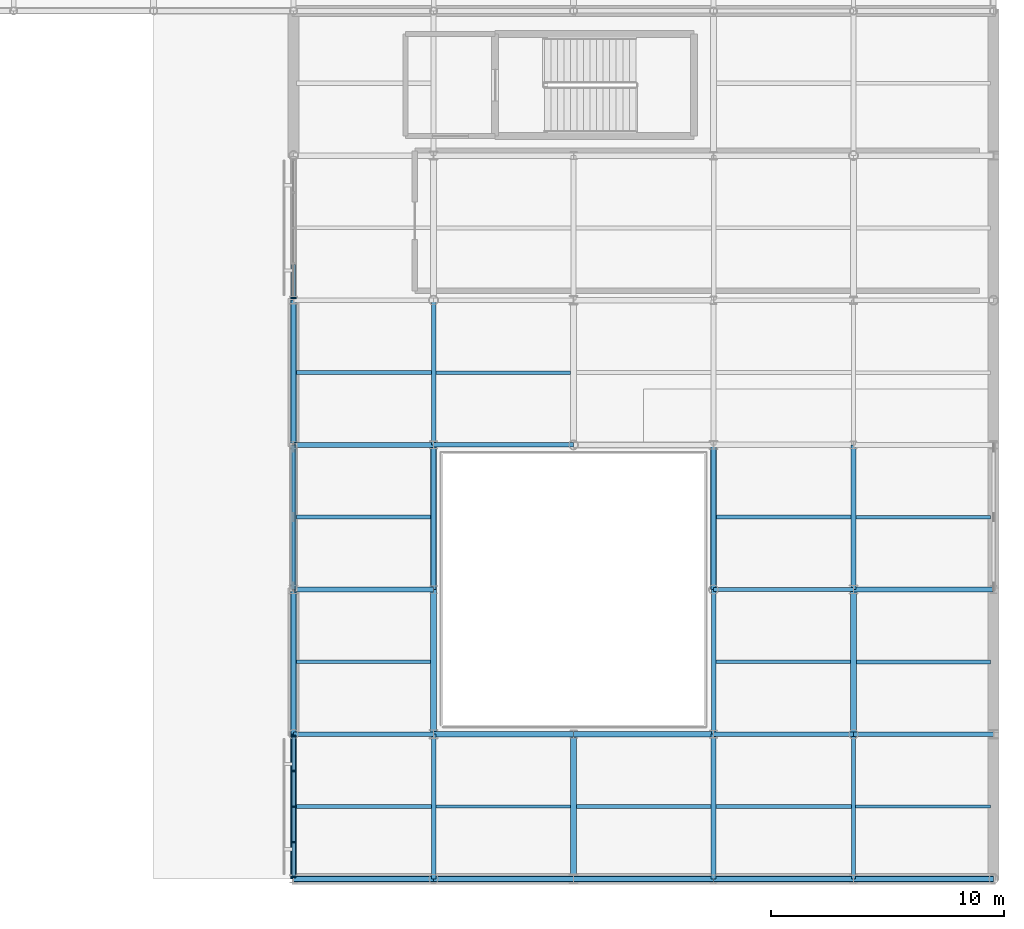
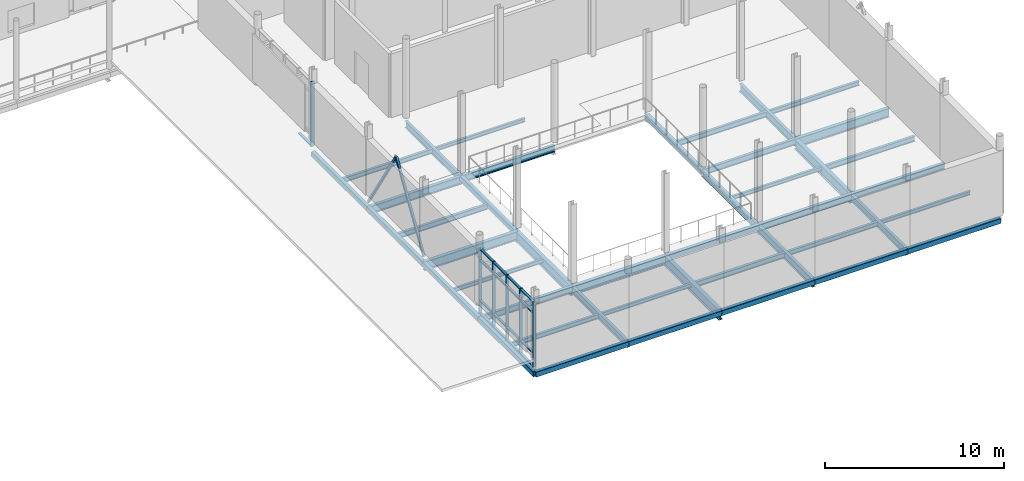
# One storey, part 45 of 105: 43 beams, 25 members, 2 elements without a shape of their own.
"""IFC4 building model written with IfcOpenShell, lengths in metres."""

from ifc_helpers import new_model, si_unit, direction, frame, origin, origin_2d, place, context, subcontext, project, spatial, rectangle, hollow_rectangle, i_section, extrude, material, layer, layer_set, material_profile, profile_set, type_object, element, aggregate, save


model = new_model("IFC4")

# Units and contexts
model_context = context("Model", 3, precision=1e-05, world=origin(), true_north=direction((0.0, 1.0)))
body_context = subcontext(model_context, "Body", "Model", "MODEL_VIEW")
ifc_project = project(units=[si_unit("LENGTHUNIT", "METRE"), si_unit("AREAUNIT", "SQUARE_METRE"), si_unit("VOLUMEUNIT", "CUBIC_METRE"), si_unit("PLANEANGLEUNIT", "RADIAN"), si_unit("MASSUNIT", "GRAM", prefix="KILO")], contexts=[model_context])

# Site, building, storey
site_placement = place(None, origin())
site = spatial("IfcSite", under=ifc_project, at=site_placement, CompositionType="ELEMENT")
building_placement = place(site_placement, origin())
building = spatial("IfcBuilding", under=site, at=building_placement, Name="Mirzam Square Science Centre", CompositionType="ELEMENT")
storey_placement = place(building_placement, frame((0.0, 0.0, 5.39990234375)))
storey = spatial("IfcBuildingStorey", under=building, at=storey_placement, Name="L01", CompositionType="ELEMENT", Elevation=5.39990234375)

# Beams
ifc_material_1 = material(Name="Steel S355", Category="steel")
ifc_material_profile_1 = material_profile(ifc_material_1, i_section(OverallWidth=0.1787109375, OverallDepth=0.409423828125, WebThickness=0.0087890625, FlangeThickness=0.014404296875, FilletRadius=0.01025390625, at=origin_2d()), Name="406x178x67UB")
ifc_profile_set_1 = profile_set([ifc_material_profile_1], Name="Steel S355")
beam_type_1 = type_object("IfcBeamType", Name="BM-UB406", PredefinedType="BEAM", material=ifc_profile_set_1)
for number, where, z_axis, x_axis, name in (
    (1, (132.0, 6.199951171875, -0.464599609375), (1.0, 0.0, 0.0), (0.0, 1.0, 0.0), "L01 girder X23-2"),
    (2, (156.0, 6.199951171875, -0.464599609375), (1.0, 0.0, 0.0), (0.0, 1.0, 0.0), "L01 girder X27-2"),
    (3, (150.0, 12.39990234375, -0.464599609375), (1.0, 0.0, 0.0), (0.0, 1.0, 0.0), "L01 girder X26-3"),
):
    element("IfcBeam", number, at=place(storey_placement, frame(where, z_axis=z_axis, x_axis=x_axis)), inside=storey, type_object=beam_type_1, Name=name, PredefinedType="BEAM", context=body_context, shape_type="SweptSolid", body=[
        extrude(i_section(OverallWidth=0.1787109375, OverallDepth=0.409423828125, WebThickness=0.0087890625, FlangeThickness=0.014404296875, FilletRadius=0.01025390625, at=origin_2d()), origin(), (0.0, 0.0, 1.0), 6.0),
    ])
ifc_material_profile_2 = material_profile(ifc_material_1, i_section(OverallWidth=0.19140625, OverallDepth=0.4599609375, WebThickness=0.010009765625, FlangeThickness=0.01611328125, FilletRadius=0.01025390625, at=origin_2d()), Name="457x191x82UB")
ifc_profile_set_2 = profile_set([ifc_material_profile_2], Name="Steel S355")
beam_type_2 = type_object("IfcBeamType", Name="BM-UB457", PredefinedType="BEAM", material=ifc_profile_set_2)
for number, where, z_axis, x_axis, name in (
    (4, (150.0, 6.199951171875, -0.489990234375), (1.0, 0.0, 0.0), (0.0, 1.0, 0.0), "L01 girder X26-2"),
    (5, (138.0, 18.60009765625, -0.489990234375), (1.0, 0.0, 0.0), (0.0, 1.0, 0.0), "L01 girder X24-4"),
):
    element("IfcBeam", number, at=place(storey_placement, frame(where, z_axis=z_axis, x_axis=x_axis)), inside=storey, type_object=beam_type_2, Name=name, PredefinedType="BEAM", context=body_context, shape_type="SweptSolid", body=[
        extrude(i_section(OverallWidth=0.19140625, OverallDepth=0.4599609375, WebThickness=0.010009765625, FlangeThickness=0.01611328125, FilletRadius=0.01025390625, at=origin_2d()), origin(), (0.0, 0.0, 1.0), 6.0),
    ])
for number, where, z_axis, x_axis, name in (
    (6, (138.0, 0.0, -0.489990234375), (0.0, 1.0, 0.0), (-1.0, 0.0, 0.0), "L01 girder Y24-1"),
    (7, (138.0, 18.60009765625, -0.489990234375), (0.0, 1.0, 0.0), (-1.0, 0.0, 0.0), "L01 girder Y24-4"),
    (8, (150.0, 6.199951171875, -0.489990234375), (0.0, 1.0, 0.0), (-1.0, 0.0, 0.0), "L01 girder Y26-2"),
    (9, (156.0, 0.0, -0.489990234375), (0.0, 1.0, 0.0), (-1.0, 0.0, 0.0), "L01 girder Y27-1"),
):
    element("IfcBeam", number, at=place(storey_placement, frame(where, z_axis=z_axis, x_axis=x_axis)), inside=storey, type_object=beam_type_2, Name=name, PredefinedType="BEAM", context=body_context, shape_type="SweptSolid", body=[
        extrude(i_section(OverallWidth=0.19140625, OverallDepth=0.4599609375, WebThickness=0.010009765625, FlangeThickness=0.01611328125, FilletRadius=0.01025390625, at=origin_2d()), origin(), (0.0, 0.0, 1.0), 6.199951171875),
    ])
ifc_material_profile_3 = material_profile(ifc_material_1, i_section(OverallWidth=0.2099609375, OverallDepth=0.53662109375, WebThickness=0.0107421875, FlangeThickness=0.017333984375, FilletRadius=0.0126953125, at=origin_2d()), Name="533x210x101UB")
ifc_profile_set_3 = profile_set([ifc_material_profile_3], Name="Steel S355")
beam_type_3 = type_object("IfcBeamType", Name="BM-UB533", PredefinedType="BEAM", material=ifc_profile_set_3)
beam_1_placement = place(storey_placement, frame((132.0, 18.60009765625, -0.5283203125), z_axis=(1.0, 0.0, 0.0), x_axis=(0.0, 1.0, 0.0)))
element("IfcBeam", 10, at=beam_1_placement, inside=storey, type_object=beam_type_3, Name="L01 girder X23-4", PredefinedType="BEAM", context=body_context, shape_type="SweptSolid", body=[
    extrude(i_section(OverallWidth=0.2099609375, OverallDepth=0.53662109375, WebThickness=0.0107421875, FlangeThickness=0.017333984375, FilletRadius=0.0126953125, at=origin_2d()), origin(), (0.0, 0.0, 1.0), 6.0),
])
beam_2_placement = place(storey_placement, frame((150.0, 0.0, -0.5283203125), z_axis=(0.0, 1.0, 0.0), x_axis=(-1.0, 0.0, 0.0)))
element("IfcBeam", 11, at=beam_2_placement, inside=storey, type_object=beam_type_3, Name="L01 girder Y26-1", PredefinedType="BEAM", context=body_context, shape_type="SweptSolid", body=[
    extrude(i_section(OverallWidth=0.2099609375, OverallDepth=0.53662109375, WebThickness=0.0107421875, FlangeThickness=0.017333984375, FilletRadius=0.0126953125, at=origin_2d()), origin(), (0.0, 0.0, 1.0), 6.199951171875),
])
beam_3_placement = place(storey_placement, frame((156.0, 12.39990234375, -0.5283203125), z_axis=(0.0, 1.0, 0.0), x_axis=(-1.0, 0.0, 0.0)))
element("IfcBeam", 12, at=beam_3_placement, inside=storey, type_object=beam_type_3, Name="L01 girder Y27-3", PredefinedType="BEAM", context=body_context, shape_type="SweptSolid", body=[
    extrude(i_section(OverallWidth=0.2099609375, OverallDepth=0.53662109375, WebThickness=0.0107421875, FlangeThickness=0.017333984375, FilletRadius=0.0126953125, at=origin_2d()), origin(), (0.0, 0.0, 1.0), 6.2001953125),
])
ifc_material_profile_4 = material_profile(ifc_material_1, i_section(OverallWidth=0.22900390625, OverallDepth=0.6123046875, WebThickness=0.011962890625, FlangeThickness=0.01953125, FilletRadius=0.0126953125, at=origin_2d()), Name="610x229x125UB")
ifc_profile_set_4 = profile_set([ifc_material_profile_4], Name="Steel S355")
beam_type_4 = type_object("IfcBeamType", Name="BM-UB610", PredefinedType="BEAM", material=ifc_profile_set_4)
for number, where, z_axis, x_axis, name in (
    (13, (138.0, 6.199951171875, -0.56591796875), (1.0, 0.0, 0.0), (0.0, 1.0, 0.0), "L01 girder X24-2"),
    (14, (132.0, 12.39990234375, -0.56591796875), (1.0, 0.0, 0.0), (0.0, 1.0, 0.0), "L01 girder X23-3"),
    (15, (156.0, 12.39990234375, -0.56591796875), (1.0, 0.0, 0.0), (0.0, 1.0, 0.0), "L01 girder X27-3"),
):
    element("IfcBeam", number, at=place(storey_placement, frame(where, z_axis=z_axis, x_axis=x_axis)), inside=storey, type_object=beam_type_4, Name=name, PredefinedType="BEAM", context=body_context, shape_type="SweptSolid", body=[
        extrude(i_section(OverallWidth=0.22900390625, OverallDepth=0.6123046875, WebThickness=0.011962890625, FlangeThickness=0.01953125, FilletRadius=0.0126953125, at=origin_2d()), origin(), (0.0, 0.0, 1.0), 6.0),
    ])
ifc_material_profile_5 = material_profile(ifc_material_1, i_section(OverallWidth=0.25439453125, OverallDepth=0.6875, WebThickness=0.01318359375, FlangeThickness=0.02099609375, FilletRadius=0.01513671875, at=origin_2d()), Name="686x254x152UB")
ifc_profile_set_5 = profile_set([ifc_material_profile_5], Name="Steel S355")
beam_type_5 = type_object("IfcBeamType", Name="BM-UB686", PredefinedType="BEAM", material=ifc_profile_set_5)
for number, where, z_axis, x_axis, name in (
    (16, (138.0, 6.199951171875, -0.603759765625), (0.0, 1.0, 0.0), (-1.0, 0.0, 0.0), "L01 girder Y24-2"),
    (17, (144.0, 0.0, -0.603759765625), (0.0, 1.0, 0.0), (-1.0, 0.0, 0.0), "L01 girder Y25-1"),
    (18, (156.0, 6.199951171875, -0.603759765625), (0.0, 1.0, 0.0), (-1.0, 0.0, 0.0), "L01 girder Y27-2"),
):
    element("IfcBeam", number, at=place(storey_placement, frame(where, z_axis=z_axis, x_axis=x_axis)), inside=storey, type_object=beam_type_5, Name=name, PredefinedType="BEAM", context=body_context, shape_type="SweptSolid", body=[
        extrude(i_section(OverallWidth=0.25439453125, OverallDepth=0.6875, WebThickness=0.01318359375, FlangeThickness=0.02099609375, FilletRadius=0.01513671875, at=origin_2d()), origin(), (0.0, 0.0, 1.0), 6.199951171875),
    ])

# Members
ifc_material_profile_6 = material_profile(ifc_material_1, hollow_rectangle(XDim=0.14990234375, YDim=0.14990234375, WallThickness=0.008056640625, InnerFilletRadius=0.008056640625, OuterFilletRadius=0.01611328125, at=origin_2d()), Name="150x150x8.0SHS")
ifc_profile_set_6 = profile_set([ifc_material_profile_6], Name="Steel S355")
member_type_1 = type_object("IfcMemberType", Name="BR-SHS150", PredefinedType="BRACE", material=ifc_profile_set_6)
for number, where, z_axis, x_axis, name in (
    (19, (132.0, 12.39990234375, 0.050048828125), (0.0, 0.532707561114, 0.84629938812), (-1.0, 0.0, 0.0), "L01 chevron brace 6A"),
    (20, (132.0, 18.60009765625, 0.050048828125), (0.0, -0.532707561114, 0.84629938812), (1.0, 0.0, 0.0), "L01 chevron brace 6B"),
):
    element("IfcMember", number, at=place(storey_placement, frame(where, z_axis=z_axis, x_axis=x_axis)), inside=storey, type_object=member_type_1, Name=name, PredefinedType="BRACE", context=body_context, shape_type="SweptSolid", body=[
        extrude(hollow_rectangle(XDim=0.14990234375, YDim=0.14990234375, WallThickness=0.008056640625, InnerFilletRadius=0.008056640625, OuterFilletRadius=0.01611328125, at=origin_2d()), origin(), (0.0, 0.0, 1.0), 5.819580078125),
    ])

# Curtain wall, members
ifc_material_2 = material(Name="Anodised Aluminium and Low-E Solar Glass", Category="aluminium")
ifc_layer_1 = layer(ifc_material_2, 0.199951171875)
ifc_layer_set_1 = layer_set([ifc_layer_1], Name="CW-EAST-A")
curtain_wall_type_1 = type_object("IfcCurtainWallType", Name="CW-EAST-A", PredefinedType="USERDEFINED", material=ifc_layer_set_1)
curtain_wall_1_placement = place(storey_placement, origin())
curtain_wall_1 = element("IfcCurtainWall", 21, at=curtain_wall_1_placement, inside=storey, type_object=curtain_wall_type_1, Name="L01 unitised curtain wall 60", ObjectType="UNITISED CURTAIN WALL", PredefinedType="USERDEFINED")
ifc_material_3 = material(Name="Anodised Architectural Aluminium 6063-T6", Category="aluminium")
ifc_material_profile_7 = material_profile(ifc_material_3, rectangle(XDim=0.06494140625, YDim=0.199951171875, at=origin_2d()), Name="ALU-MULL-200x65x5")
ifc_profile_set_7 = profile_set([ifc_material_profile_7], Name="Anodised Architectural Aluminium 6063-T6")
member_type_2 = type_object("IfcMemberType", Name="CWM-200", PredefinedType="MULLION", material=ifc_profile_set_7)
member_1_placement = place(storey_placement, frame((132.0, 6.112548828125, 0.0), z_axis=(0.0, 0.0, 1.0), x_axis=(0.0, -1.0, 0.0)))
member_1 = element("IfcMember", 22, at=member_1_placement, type_object=member_type_2, Name="CW-05 mullion 1", PredefinedType="MULLION", context=body_context, shape_type="SweptSolid", body=[
    extrude(rectangle(XDim=0.06494140625, YDim=0.199951171875, at=origin_2d()), origin(), (0.0, 0.0, 1.0), 4.440185546875),
])
member_2_placement = place(storey_placement, frame((132.0, 4.62255859375, 0.0), z_axis=(0.0, 0.0, 1.0), x_axis=(0.0, -1.0, 0.0)))
member_2 = element("IfcMember", 23, at=member_2_placement, type_object=member_type_2, Name="CW-05 mullion 2", PredefinedType="MULLION", context=body_context, shape_type="SweptSolid", body=[
    extrude(rectangle(XDim=0.06494140625, YDim=0.199951171875, at=origin_2d()), origin(), (0.0, 0.0, 1.0), 4.440185546875),
])
member_3_placement = place(storey_placement, frame((132.0, 3.10009765625, 0.0), z_axis=(0.0, 0.0, 1.0), x_axis=(0.0, -1.0, 0.0)))
member_3 = element("IfcMember", 24, at=member_3_placement, type_object=member_type_2, Name="CW-05 mullion 3", PredefinedType="MULLION", context=body_context, shape_type="SweptSolid", body=[
    extrude(rectangle(XDim=0.06494140625, YDim=0.199951171875, at=origin_2d()), origin(), (0.0, 0.0, 1.0), 4.440185546875),
])
member_4_placement = place(storey_placement, frame((132.0, 1.577392578125, 0.0), z_axis=(0.0, 0.0, 1.0), x_axis=(0.0, -1.0, 0.0)))
member_4 = element("IfcMember", 25, at=member_4_placement, type_object=member_type_2, Name="CW-05 mullion 4", PredefinedType="MULLION", context=body_context, shape_type="SweptSolid", body=[
    extrude(rectangle(XDim=0.06494140625, YDim=0.199951171875, at=origin_2d()), origin(), (0.0, 0.0, 1.0), 4.440185546875),
])
member_5_placement = place(storey_placement, frame((132.0, 0.08740234375, 0.0), z_axis=(0.0, 0.0, 1.0), x_axis=(0.0, -1.0, 0.0)))
member_5 = element("IfcMember", 26, at=member_5_placement, type_object=member_type_2, Name="CW-05 mullion 5", PredefinedType="MULLION", context=body_context, shape_type="SweptSolid", body=[
    extrude(rectangle(XDim=0.06494140625, YDim=0.199951171875, at=origin_2d()), origin(), (0.0, 0.0, 1.0), 4.440185546875),
])

# Curtain wall, member
ifc_layer_2 = layer(ifc_material_2, 0.179931640625)
ifc_layer_set_2 = layer_set([ifc_layer_2], Name="CW-PARK-A")
curtain_wall_type_2 = type_object("IfcCurtainWallType", Name="CW-PARK-A", PredefinedType="USERDEFINED", material=ifc_layer_set_2)
curtain_wall_2_placement = place(storey_placement, origin())
curtain_wall_2 = element("IfcCurtainWall", 27, at=curtain_wall_2_placement, inside=storey, type_object=curtain_wall_type_2, Name="L01 unitised curtain wall 61", ObjectType="UNITISED CURTAIN WALL", PredefinedType="USERDEFINED")
ifc_material_profile_8 = material_profile(ifc_material_3, rectangle(XDim=0.074951171875, YDim=0.239990234375, at=origin_2d()), Name="ALU-MULL-240x75x5")
ifc_profile_set_8 = profile_set([ifc_material_profile_8], Name="Anodised Architectural Aluminium 6063-T6")
member_type_3 = type_object("IfcMemberType", Name="CWM-240", PredefinedType="MULLION", material=ifc_profile_set_8)
member_6_placement = place(storey_placement, frame((132.0, 24.892578125, 0.0), z_axis=(0.0, 0.0, 1.0), x_axis=(0.0, -1.0, 0.0)))
member_6 = element("IfcMember", 28, at=member_6_placement, type_object=member_type_3, Name="CW-01 mullion 5", PredefinedType="MULLION", context=body_context, shape_type="SweptSolid", body=[
    extrude(rectangle(XDim=0.074951171875, YDim=0.239990234375, at=origin_2d()), origin(), (0.0, 0.0, 1.0), 4.440185546875),
])

# Member
ifc_material_profile_9 = material_profile(ifc_material_3, rectangle(XDim=0.14990234375, YDim=0.06494140625, at=origin_2d()), Name="ALU-TRAN-150x65x4")
ifc_profile_set_9 = profile_set([ifc_material_profile_9], Name="Anodised Architectural Aluminium 6063-T6")
member_type_4 = type_object("IfcMemberType", Name="CWT-150", PredefinedType="USERDEFINED", material=ifc_profile_set_9)
member_7_placement = place(storey_placement, frame((132.0, 6.080078125, 0.03271484375), z_axis=(0.0, -1.0, 0.0), x_axis=(1.0, 0.0, 0.0)))
member_7 = element("IfcMember", 29, at=member_7_placement, type_object=member_type_4, Name="CW-05 transom 1.1", ObjectType="TRANSOM", PredefinedType="USERDEFINED", context=body_context, shape_type="SweptSolid", body=[
    extrude(rectangle(XDim=0.14990234375, YDim=0.06494140625, at=origin_2d()), origin(), (0.0, 0.0, 1.0), 1.425048828125),
])

member_8_placement = place(storey_placement, frame((132.0, 6.080078125, 0.900146484375), z_axis=(0.0, -1.0, 0.0), x_axis=(1.0, 0.0, 0.0)))
member_8 = element("IfcMember", 30, at=member_8_placement, type_object=member_type_4, Name="CW-05 transom 1.2", ObjectType="TRANSOM", PredefinedType="USERDEFINED", context=body_context, shape_type="SweptSolid", body=[
    extrude(rectangle(XDim=0.14990234375, YDim=0.06494140625, at=origin_2d()), origin(), (0.0, 0.0, 1.0), 1.425048828125),
])

member_9_placement = place(storey_placement, frame((132.0, 6.080078125, 3.64013671875), z_axis=(0.0, -1.0, 0.0), x_axis=(1.0, 0.0, 0.0)))
member_9 = element("IfcMember", 31, at=member_9_placement, type_object=member_type_4, Name="CW-05 transom 1.3", ObjectType="TRANSOM", PredefinedType="USERDEFINED", context=body_context, shape_type="SweptSolid", body=[
    extrude(rectangle(XDim=0.14990234375, YDim=0.06494140625, at=origin_2d()), origin(), (0.0, 0.0, 1.0), 1.425048828125),
])

member_10_placement = place(storey_placement, frame((132.0, 6.080078125, 4.40771484375), z_axis=(0.0, -1.0, 0.0), x_axis=(1.0, 0.0, 0.0)))
member_10 = element("IfcMember", 32, at=member_10_placement, type_object=member_type_4, Name="CW-05 transom 1.4", ObjectType="TRANSOM", PredefinedType="USERDEFINED", context=body_context, shape_type="SweptSolid", body=[
    extrude(rectangle(XDim=0.14990234375, YDim=0.06494140625, at=origin_2d()), origin(), (0.0, 0.0, 1.0), 1.425048828125),
])

member_11_placement = place(storey_placement, frame((132.0, 4.590087890625, 0.03271484375), z_axis=(0.0, -1.0, 0.0), x_axis=(1.0, 0.0, 0.0)))
member_11 = element("IfcMember", 33, at=member_11_placement, type_object=member_type_4, Name="CW-05 transom 2.1", ObjectType="TRANSOM", PredefinedType="USERDEFINED", context=body_context, shape_type="SweptSolid", body=[
    extrude(rectangle(XDim=0.14990234375, YDim=0.06494140625, at=origin_2d()), origin(), (0.0, 0.0, 1.0), 1.45751953125),
])

member_12_placement = place(storey_placement, frame((132.0, 4.590087890625, 0.900146484375), z_axis=(0.0, -1.0, 0.0), x_axis=(1.0, 0.0, 0.0)))
member_12 = element("IfcMember", 34, at=member_12_placement, type_object=member_type_4, Name="CW-05 transom 2.2", ObjectType="TRANSOM", PredefinedType="USERDEFINED", context=body_context, shape_type="SweptSolid", body=[
    extrude(rectangle(XDim=0.14990234375, YDim=0.06494140625, at=origin_2d()), origin(), (0.0, 0.0, 1.0), 1.45751953125),
])

member_13_placement = place(storey_placement, frame((132.0, 4.590087890625, 3.64013671875), z_axis=(0.0, -1.0, 0.0), x_axis=(1.0, 0.0, 0.0)))
member_13 = element("IfcMember", 35, at=member_13_placement, type_object=member_type_4, Name="CW-05 transom 2.3", ObjectType="TRANSOM", PredefinedType="USERDEFINED", context=body_context, shape_type="SweptSolid", body=[
    extrude(rectangle(XDim=0.14990234375, YDim=0.06494140625, at=origin_2d()), origin(), (0.0, 0.0, 1.0), 1.45751953125),
])

member_14_placement = place(storey_placement, frame((132.0, 4.590087890625, 4.40771484375), z_axis=(0.0, -1.0, 0.0), x_axis=(1.0, 0.0, 0.0)))
member_14 = element("IfcMember", 36, at=member_14_placement, type_object=member_type_4, Name="CW-05 transom 2.4", ObjectType="TRANSOM", PredefinedType="USERDEFINED", context=body_context, shape_type="SweptSolid", body=[
    extrude(rectangle(XDim=0.14990234375, YDim=0.06494140625, at=origin_2d()), origin(), (0.0, 0.0, 1.0), 1.45751953125),
])

member_15_placement = place(storey_placement, frame((132.0, 3.0673828125, 0.03271484375), z_axis=(0.0, -1.0, 0.0), x_axis=(1.0, 0.0, 0.0)))
member_15 = element("IfcMember", 37, at=member_15_placement, type_object=member_type_4, Name="CW-05 transom 3.1", ObjectType="TRANSOM", PredefinedType="USERDEFINED", context=body_context, shape_type="SweptSolid", body=[
    extrude(rectangle(XDim=0.14990234375, YDim=0.06494140625, at=origin_2d()), origin(), (0.0, 0.0, 1.0), 1.457275390625),
])

member_16_placement = place(storey_placement, frame((132.0, 3.0673828125, 0.900146484375), z_axis=(0.0, -1.0, 0.0), x_axis=(1.0, 0.0, 0.0)))
member_16 = element("IfcMember", 38, at=member_16_placement, type_object=member_type_4, Name="CW-05 transom 3.2", ObjectType="TRANSOM", PredefinedType="USERDEFINED", context=body_context, shape_type="SweptSolid", body=[
    extrude(rectangle(XDim=0.14990234375, YDim=0.06494140625, at=origin_2d()), origin(), (0.0, 0.0, 1.0), 1.457275390625),
])

member_17_placement = place(storey_placement, frame((132.0, 3.0673828125, 3.64013671875), z_axis=(0.0, -1.0, 0.0), x_axis=(1.0, 0.0, 0.0)))
member_17 = element("IfcMember", 39, at=member_17_placement, type_object=member_type_4, Name="CW-05 transom 3.3", ObjectType="TRANSOM", PredefinedType="USERDEFINED", context=body_context, shape_type="SweptSolid", body=[
    extrude(rectangle(XDim=0.14990234375, YDim=0.06494140625, at=origin_2d()), origin(), (0.0, 0.0, 1.0), 1.457275390625),
])

member_18_placement = place(storey_placement, frame((132.0, 3.0673828125, 4.40771484375), z_axis=(0.0, -1.0, 0.0), x_axis=(1.0, 0.0, 0.0)))
member_18 = element("IfcMember", 40, at=member_18_placement, type_object=member_type_4, Name="CW-05 transom 3.4", ObjectType="TRANSOM", PredefinedType="USERDEFINED", context=body_context, shape_type="SweptSolid", body=[
    extrude(rectangle(XDim=0.14990234375, YDim=0.06494140625, at=origin_2d()), origin(), (0.0, 0.0, 1.0), 1.457275390625),
])

member_19_placement = place(storey_placement, frame((132.0, 1.544921875, 0.03271484375), z_axis=(0.0, -1.0, 0.0), x_axis=(1.0, 0.0, 0.0)))
member_19 = element("IfcMember", 41, at=member_19_placement, type_object=member_type_4, Name="CW-05 transom 4.1", ObjectType="TRANSOM", PredefinedType="USERDEFINED", context=body_context, shape_type="SweptSolid", body=[
    extrude(rectangle(XDim=0.14990234375, YDim=0.06494140625, at=origin_2d()), origin(), (0.0, 0.0, 1.0), 1.4248046875),
])

member_20_placement = place(storey_placement, frame((132.0, 1.544921875, 0.900146484375), z_axis=(0.0, -1.0, 0.0), x_axis=(1.0, 0.0, 0.0)))
member_20 = element("IfcMember", 42, at=member_20_placement, type_object=member_type_4, Name="CW-05 transom 4.2", ObjectType="TRANSOM", PredefinedType="USERDEFINED", context=body_context, shape_type="SweptSolid", body=[
    extrude(rectangle(XDim=0.14990234375, YDim=0.06494140625, at=origin_2d()), origin(), (0.0, 0.0, 1.0), 1.4248046875),
])

member_21_placement = place(storey_placement, frame((132.0, 1.544921875, 3.64013671875), z_axis=(0.0, -1.0, 0.0), x_axis=(1.0, 0.0, 0.0)))
member_21 = element("IfcMember", 43, at=member_21_placement, type_object=member_type_4, Name="CW-05 transom 4.3", ObjectType="TRANSOM", PredefinedType="USERDEFINED", context=body_context, shape_type="SweptSolid", body=[
    extrude(rectangle(XDim=0.14990234375, YDim=0.06494140625, at=origin_2d()), origin(), (0.0, 0.0, 1.0), 1.4248046875),
])

member_22_placement = place(storey_placement, frame((132.0, 1.544921875, 4.40771484375), z_axis=(0.0, -1.0, 0.0), x_axis=(1.0, 0.0, 0.0)))
member_22 = element("IfcMember", 44, at=member_22_placement, type_object=member_type_4, Name="CW-05 transom 4.4", ObjectType="TRANSOM", PredefinedType="USERDEFINED", context=body_context, shape_type="SweptSolid", body=[
    extrude(rectangle(XDim=0.14990234375, YDim=0.06494140625, at=origin_2d()), origin(), (0.0, 0.0, 1.0), 1.4248046875),
])

aggregate(curtain_wall_1, [member_1, member_2, member_3, member_4, member_5, member_7, member_8, member_9, member_10, member_11, member_12, member_13, member_14, member_15, member_16, member_17, member_18, member_19, member_20, member_21, member_22])

ifc_material_profile_10 = material_profile(ifc_material_3, rectangle(XDim=0.179931640625, YDim=0.074951171875, at=origin_2d()), Name="ALU-TRAN-180x75x5")
ifc_profile_set_10 = profile_set([ifc_material_profile_10], Name="Anodised Architectural Aluminium 6063-T6")
member_type_5 = type_object("IfcMemberType", Name="CWT-180", PredefinedType="USERDEFINED", material=ifc_profile_set_10)
member_23_placement = place(storey_placement, frame((132.0, 26.340087890625, 0.03759765625), z_axis=(0.0, -1.0, 0.0), x_axis=(1.0, 0.0, 0.0)))
member_23 = element("IfcMember", 45, at=member_23_placement, type_object=member_type_5, Name="CW-01 transom 4.1", ObjectType="TRANSOM", PredefinedType="USERDEFINED", context=body_context, shape_type="SweptSolid", body=[
    extrude(rectangle(XDim=0.179931640625, YDim=0.074951171875, at=origin_2d()), origin(), (0.0, 0.0, 1.0), 1.41015625),
])

aggregate(curtain_wall_2, [member_6, member_23])

# Beams
ifc_material_profile_11 = material_profile(ifc_material_1, i_section(OverallWidth=0.146484375, OverallDepth=0.256103515625, WebThickness=0.00634765625, FlangeThickness=0.010986328125, FilletRadius=0.007568359375, at=origin_2d()), Name="254x146x37UB")
ifc_profile_set_11 = profile_set([ifc_material_profile_11], Name="Steel S355")
beam_type_6 = type_object("IfcBeamType", Name="JS-UB254", PredefinedType="JOIST", material=ifc_profile_set_11)
beam_4_placement = place(storey_placement, frame((132.125, 9.300048828125, -0.387939453125), z_axis=(1.0, 0.0, 0.0), x_axis=(0.0, 1.0, 0.0)))
element("IfcBeam", 46, at=beam_4_placement, inside=storey, type_object=beam_type_6, Name="L01 composite joist 23-2", PredefinedType="JOIST", context=body_context, shape_type="SweptSolid", body=[
    extrude(i_section(OverallWidth=0.146484375, OverallDepth=0.256103515625, WebThickness=0.00634765625, FlangeThickness=0.010986328125, FilletRadius=0.007568359375, at=origin_2d()), origin(), (0.0, 0.0, 1.0), 5.747802734375),
])
for number, where, z_axis, x_axis, name in (
    (47, (138.095703125, 3.10009765625, -0.387939453125), (1.0, 0.0, 0.0), (0.0, 1.0, 0.0), "L01 composite joist 24-1"),
    (48, (138.095703125, 21.699951171875, -0.387939453125), (1.0, 0.0, 0.0), (0.0, 1.0, 0.0), "L01 composite joist 24-4"),
    (49, (150.095703125, 9.300048828125, -0.387939453125), (1.0, 0.0, 0.0), (0.0, 1.0, 0.0), "L01 composite joist 26-2"),
):
    element("IfcBeam", number, at=place(storey_placement, frame(where, z_axis=z_axis, x_axis=x_axis)), inside=storey, type_object=beam_type_6, Name=name, PredefinedType="JOIST", context=body_context, shape_type="SweptSolid", body=[
        extrude(i_section(OverallWidth=0.146484375, OverallDepth=0.256103515625, WebThickness=0.00634765625, FlangeThickness=0.010986328125, FilletRadius=0.007568359375, at=origin_2d()), origin(), (0.0, 0.0, 1.0), 5.777099609375),
    ])
beam_5_placement = place(storey_placement, frame((156.095703125, 3.10009765625, -0.387939453125), z_axis=(1.0, 0.0, 0.0), x_axis=(0.0, 1.0, 0.0)))
element("IfcBeam", 50, at=beam_5_placement, inside=storey, type_object=beam_type_6, Name="L01 composite joist 27-1", PredefinedType="JOIST", context=body_context, shape_type="SweptSolid", body=[
    extrude(i_section(OverallWidth=0.146484375, OverallDepth=0.256103515625, WebThickness=0.00634765625, FlangeThickness=0.010986328125, FilletRadius=0.007568359375, at=origin_2d()), origin(), (0.0, 0.0, 1.0), 5.779296875),
])
ifc_material_profile_12 = material_profile(ifc_material_1, i_section(OverallWidth=0.165771484375, OverallDepth=0.306640625, WebThickness=0.006591796875, FlangeThickness=0.01171875, FilletRadius=0.0087890625, at=origin_2d()), Name="305x165x46UB")
ifc_profile_set_12 = profile_set([ifc_material_profile_12], Name="Steel S355")
beam_type_7 = type_object("IfcBeamType", Name="JS-UB305", PredefinedType="JOIST", material=ifc_profile_set_12)
for number, where, z_axis, x_axis, name in (
    (51, (132.125, 3.10009765625, -0.4130859375), (1.0, 0.0, 0.0), (0.0, 1.0, 0.0), "L01 composite joist 23-1"),
    (52, (132.125, 21.699951171875, -0.4130859375), (1.0, 0.0, 0.0), (0.0, 1.0, 0.0), "L01 composite joist 23-4"),
):
    element("IfcBeam", number, at=place(storey_placement, frame(where, z_axis=z_axis, x_axis=x_axis)), inside=storey, type_object=beam_type_7, Name=name, PredefinedType="JOIST", context=body_context, shape_type="SweptSolid", body=[
        extrude(i_section(OverallWidth=0.165771484375, OverallDepth=0.306640625, WebThickness=0.006591796875, FlangeThickness=0.01171875, FilletRadius=0.0087890625, at=origin_2d()), origin(), (0.0, 0.0, 1.0), 5.779296875),
    ])
beam_6_placement = place(storey_placement, frame((150.10498046875, 3.10009765625, -0.4130859375), z_axis=(1.0, 0.0, 0.0), x_axis=(0.0, 1.0, 0.0)))
element("IfcBeam", 53, at=beam_6_placement, inside=storey, type_object=beam_type_7, Name="L01 composite joist 26-1", PredefinedType="JOIST", context=body_context, shape_type="SweptSolid", body=[
    extrude(i_section(OverallWidth=0.165771484375, OverallDepth=0.306640625, WebThickness=0.006591796875, FlangeThickness=0.01171875, FilletRadius=0.0087890625, at=origin_2d()), origin(), (0.0, 0.0, 1.0), 5.79931640625),
])
beam_7_placement = place(storey_placement, frame((156.10498046875, 15.5, -0.4130859375), z_axis=(1.0, 0.0, 0.0), x_axis=(0.0, 1.0, 0.0)))
element("IfcBeam", 54, at=beam_7_placement, inside=storey, type_object=beam_type_7, Name="L01 composite joist 27-3", PredefinedType="JOIST", context=body_context, shape_type="SweptSolid", body=[
    extrude(i_section(OverallWidth=0.165771484375, OverallDepth=0.306640625, WebThickness=0.006591796875, FlangeThickness=0.01171875, FilletRadius=0.0087890625, at=origin_2d()), origin(), (0.0, 0.0, 1.0), 5.77001953125),
])
ifc_material_profile_13 = material_profile(ifc_material_1, i_section(OverallWidth=0.172119140625, OverallDepth=0.35791015625, WebThickness=0.008056640625, FlangeThickness=0.012939453125, FilletRadius=0.01025390625, at=origin_2d()), Name="356x171x57UB")
ifc_profile_set_13 = profile_set([ifc_material_profile_13], Name="Steel S355")
beam_type_8 = type_object("IfcBeamType", Name="JS-UB356", PredefinedType="JOIST", material=ifc_profile_set_13)
beam_8_placement = place(storey_placement, frame((132.125, 15.5, -0.43896484375), z_axis=(1.0, 0.0, 0.0), x_axis=(0.0, 1.0, 0.0)))
element("IfcBeam", 55, at=beam_8_placement, inside=storey, type_object=beam_type_8, Name="L01 composite joist 23-3", PredefinedType="JOIST", context=body_context, shape_type="SweptSolid", body=[
    extrude(i_section(OverallWidth=0.172119140625, OverallDepth=0.35791015625, WebThickness=0.008056640625, FlangeThickness=0.012939453125, FilletRadius=0.01025390625, at=origin_2d()), origin(), (0.0, 0.0, 1.0), 5.75),
])
beam_9_placement = place(storey_placement, frame((144.127197265625, 3.10009765625, -0.43896484375), z_axis=(1.0, 0.0, 0.0), x_axis=(0.0, 1.0, 0.0)))
element("IfcBeam", 56, at=beam_9_placement, inside=storey, type_object=beam_type_8, Name="L01 composite joist 25-1", PredefinedType="JOIST", context=body_context, shape_type="SweptSolid", body=[
    extrude(i_section(OverallWidth=0.172119140625, OverallDepth=0.35791015625, WebThickness=0.008056640625, FlangeThickness=0.012939453125, FilletRadius=0.01025390625, at=origin_2d()), origin(), (0.0, 0.0, 1.0), 5.767822265625),
])
beam_10_placement = place(storey_placement, frame((150.125, 15.5, -0.43896484375), z_axis=(1.0, 0.0, 0.0), x_axis=(0.0, 1.0, 0.0)))
element("IfcBeam", 57, at=beam_10_placement, inside=storey, type_object=beam_type_8, Name="L01 composite joist 26-3", PredefinedType="JOIST", context=body_context, shape_type="SweptSolid", body=[
    extrude(i_section(OverallWidth=0.172119140625, OverallDepth=0.35791015625, WebThickness=0.008056640625, FlangeThickness=0.012939453125, FilletRadius=0.01025390625, at=origin_2d()), origin(), (0.0, 0.0, 1.0), 5.77001953125),
])
beam_11_placement = place(storey_placement, frame((156.127197265625, 9.300048828125, -0.43896484375), z_axis=(1.0, 0.0, 0.0), x_axis=(0.0, 1.0, 0.0)))
element("IfcBeam", 58, at=beam_11_placement, inside=storey, type_object=beam_type_8, Name="L01 composite joist 27-2", PredefinedType="JOIST", context=body_context, shape_type="SweptSolid", body=[
    extrude(i_section(OverallWidth=0.172119140625, OverallDepth=0.35791015625, WebThickness=0.008056640625, FlangeThickness=0.012939453125, FilletRadius=0.01025390625, at=origin_2d()), origin(), (0.0, 0.0, 1.0), 5.747802734375),
])
ifc_material_profile_14 = material_profile(ifc_material_1, hollow_rectangle(XDim=0.25, YDim=0.35009765625, WallThickness=0.012451171875, InnerFilletRadius=0.012451171875, OuterFilletRadius=0.02490234375, at=origin_2d()), Name="350x250x12.5RHS")
ifc_profile_set_14 = profile_set([ifc_material_profile_14], Name="Steel S355")
beam_type_9 = type_object("IfcBeamType", Name="SP-RHS350", PredefinedType="SPANDREL", material=ifc_profile_set_14)
for number, where, z_axis, x_axis, name in (
    (59, (132.0, 0.0, -0.434814453125), (1.0, 0.0, 0.0), (0.0, 1.0, 0.0), "L01 girder X23-1"),
    (60, (138.0, 0.0, -0.434814453125), (1.0, 0.0, 0.0), (0.0, 1.0, 0.0), "L01 girder X24-1"),
    (61, (144.0, 0.0, -0.434814453125), (1.0, 0.0, 0.0), (0.0, 1.0, 0.0), "L01 girder X25-1"),
    (62, (150.0, 0.0, -0.434814453125), (1.0, 0.0, 0.0), (0.0, 1.0, 0.0), "L01 girder X26-1"),
    (63, (156.0, 0.0, -0.434814453125), (1.0, 0.0, 0.0), (0.0, 1.0, 0.0), "L01 girder X27-1"),
    (64, (144.0, 6.199951171875, -0.434814453125), (1.0, 0.0, 0.0), (0.0, 1.0, 0.0), "L01 girder X25-2"),
):
    element("IfcBeam", number, at=place(storey_placement, frame(where, z_axis=z_axis, x_axis=x_axis)), inside=storey, type_object=beam_type_9, Name=name, PredefinedType="SPANDREL", context=body_context, shape_type="SweptSolid", body=[
        extrude(hollow_rectangle(XDim=0.25, YDim=0.35009765625, WallThickness=0.012451171875, InnerFilletRadius=0.012451171875, OuterFilletRadius=0.02490234375, at=origin_2d()), origin(), (0.0, 0.0, 1.0), 6.0),
    ])
for number, where, z_axis, x_axis, name in (
    (65, (132.0, 0.0, -0.434814453125), (0.0, 1.0, 0.0), (-1.0, 0.0, 0.0), "L01 girder Y23-1"),
    (66, (132.0, 6.199951171875, -0.434814453125), (0.0, 1.0, 0.0), (-1.0, 0.0, 0.0), "L01 girder Y23-2"),
):
    element("IfcBeam", number, at=place(storey_placement, frame(where, z_axis=z_axis, x_axis=x_axis)), inside=storey, type_object=beam_type_9, Name=name, PredefinedType="SPANDREL", context=body_context, shape_type="SweptSolid", body=[
        extrude(hollow_rectangle(XDim=0.25, YDim=0.35009765625, WallThickness=0.012451171875, InnerFilletRadius=0.012451171875, OuterFilletRadius=0.02490234375, at=origin_2d()), origin(), (0.0, 0.0, 1.0), 6.199951171875),
    ])
beam_12_placement = place(storey_placement, frame((132.0, 12.39990234375, -0.434814453125), z_axis=(0.0, 1.0, 0.0), x_axis=(-1.0, 0.0, 0.0)))
element("IfcBeam", 67, at=beam_12_placement, inside=storey, type_object=beam_type_9, Name="L01 girder Y23-3", PredefinedType="SPANDREL", context=body_context, shape_type="SweptSolid", body=[
    extrude(hollow_rectangle(XDim=0.25, YDim=0.35009765625, WallThickness=0.012451171875, InnerFilletRadius=0.012451171875, OuterFilletRadius=0.02490234375, at=origin_2d()), origin(), (0.0, 0.0, 1.0), 6.2001953125),
])
beam_13_placement = place(storey_placement, frame((132.0, 18.60009765625, -0.434814453125), z_axis=(0.0, 1.0, 0.0), x_axis=(-1.0, 0.0, 0.0)))
element("IfcBeam", 68, at=beam_13_placement, inside=storey, type_object=beam_type_9, Name="L01 girder Y23-4", PredefinedType="SPANDREL", context=body_context, shape_type="SweptSolid", body=[
    extrude(hollow_rectangle(XDim=0.25, YDim=0.35009765625, WallThickness=0.012451171875, InnerFilletRadius=0.012451171875, OuterFilletRadius=0.02490234375, at=origin_2d()), origin(), (0.0, 0.0, 1.0), 6.199951171875),
])
for number, where, z_axis, x_axis, name in (
    (69, (138.0, 12.39990234375, -0.434814453125), (0.0, 1.0, 0.0), (-1.0, 0.0, 0.0), "L01 girder Y24-3"),
    (70, (150.0, 12.39990234375, -0.434814453125), (0.0, 1.0, 0.0), (-1.0, 0.0, 0.0), "L01 girder Y26-3"),
):
    element("IfcBeam", number, at=place(storey_placement, frame(where, z_axis=z_axis, x_axis=x_axis)), inside=storey, type_object=beam_type_9, Name=name, PredefinedType="SPANDREL", context=body_context, shape_type="SweptSolid", body=[
        extrude(hollow_rectangle(XDim=0.25, YDim=0.35009765625, WallThickness=0.012451171875, InnerFilletRadius=0.012451171875, OuterFilletRadius=0.02490234375, at=origin_2d()), origin(), (0.0, 0.0, 1.0), 6.2001953125),
    ])

save(model, "model.ifc")
